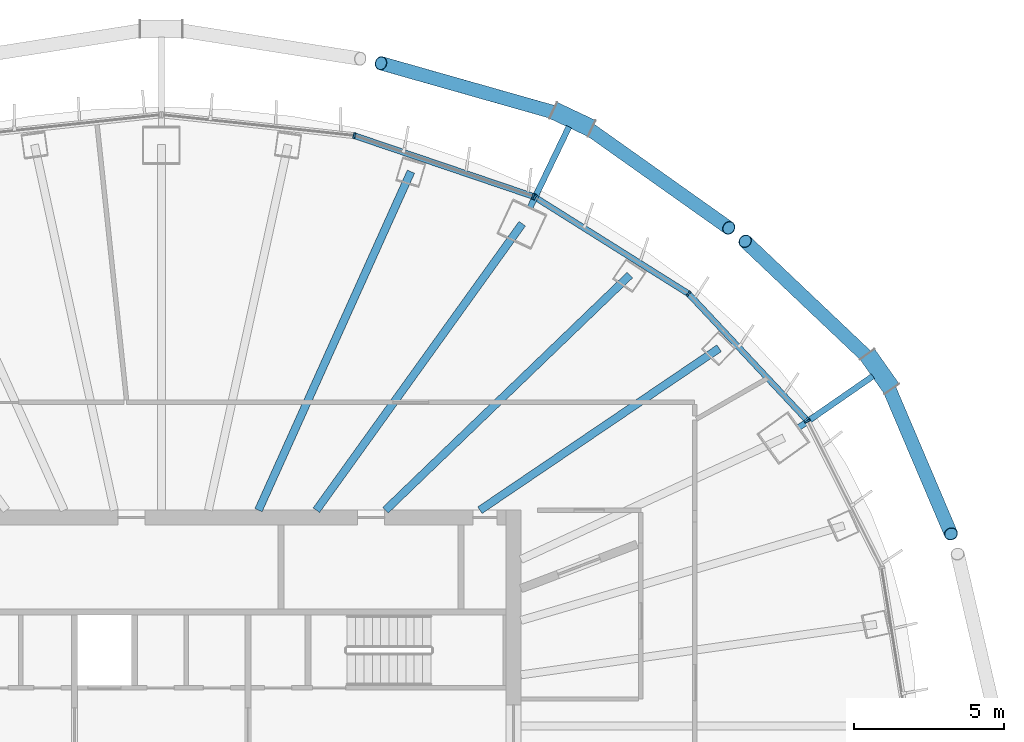
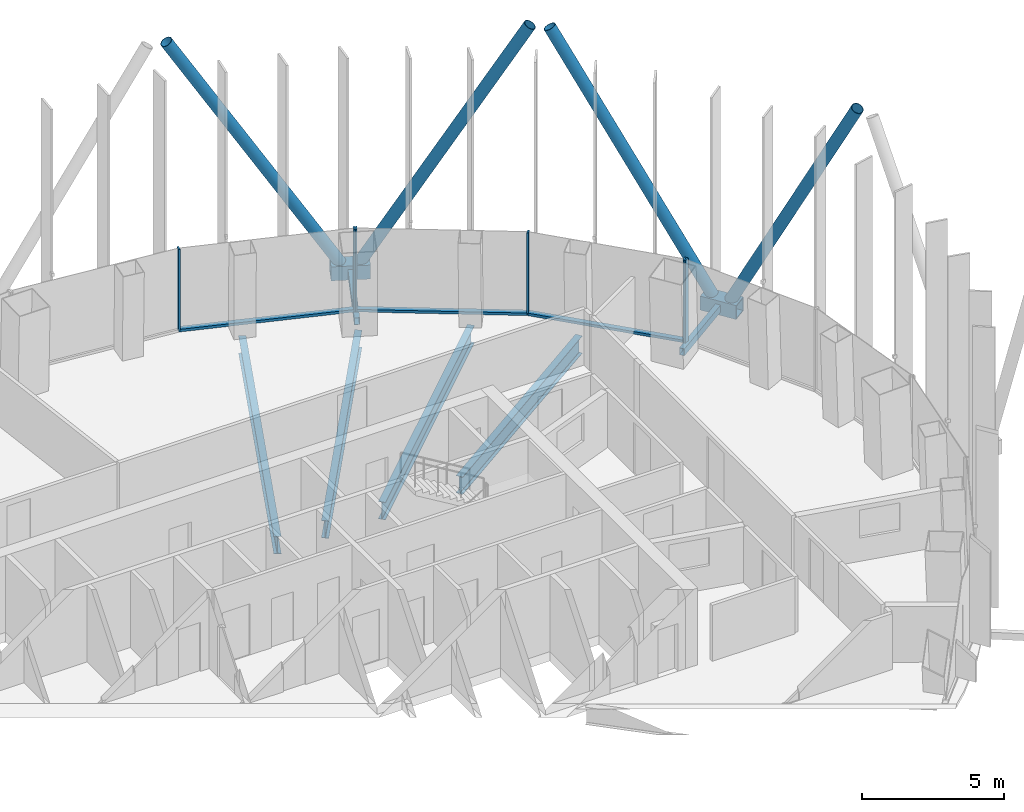
# One storey, part 6 of 19: 17 members, 4 beams, 3 elements without a shape of their own.
"""IFC4 building model written with IfcOpenShell, lengths in metres."""

from ifc_helpers import new_model, si_unit, direction, frame, origin, origin_2d, place, context, subcontext, project, spatial, rectangle, hollow_rectangle, hollow_circle, i_section, extrude, material, layer, layer_set, material_profile, profile_set, type_object, element, aggregate, save


model = new_model("IFC4")

# Units and contexts
model_context = context("Model", 3, precision=1e-05, world=origin(), true_north=direction((0.0, 1.0)))
body_context = subcontext(model_context, "Body", "Model", "MODEL_VIEW")
ifc_project = project(units=[si_unit("LENGTHUNIT", "METRE"), si_unit("AREAUNIT", "SQUARE_METRE"), si_unit("VOLUMEUNIT", "CUBIC_METRE"), si_unit("PLANEANGLEUNIT", "RADIAN"), si_unit("MASSUNIT", "GRAM", prefix="KILO")], contexts=[model_context])

# Site, building, storey
site_placement = place(None, origin())
site = spatial("IfcSite", under=ifc_project, at=site_placement, CompositionType="ELEMENT")
building_placement = place(site_placement, origin())
building = spatial("IfcBuilding", under=site, at=building_placement, Name="Siaravel Broadcast Tower", CompositionType="ELEMENT")
storey_placement = place(building_placement, frame((0.0, 0.0, 130.39990234375)))
storey = spatial("IfcBuildingStorey", under=building, at=storey_placement, Name="L31", CompositionType="ELEMENT", Elevation=130.39990234375)

# Beams
ifc_material_1 = material(Name="Steel S355", Category="steel")
ifc_material_profile_1 = material_profile(ifc_material_1, i_section(OverallWidth=0.26513671875, OverallDepth=0.75390625, WebThickness=0.0126953125, FlangeThickness=0.017578125, FilletRadius=0.0166015625, at=origin_2d()))
ifc_profile_set_1 = profile_set([ifc_material_profile_1], Name="Steel S355")
beam_type = type_object("IfcBeamType", Name="BM-UB 762x267x147", PredefinedType="BEAM", material=ifc_profile_set_1)
beam_1_placement = place(storey_placement, frame((18.614501953125, 12.605712890625, -0.52685546875), z_axis=(-0.827999857, -0.56072831, 0.0), x_axis=(0.56072831, -0.827999857, 0.0)))
element("IfcBeam", 1, at=beam_1_placement, inside=storey, type_object=beam_type, Name="Radial beam RB05", PredefinedType="BEAM", context=body_context, shape_type="SweptSolid", body=[
    extrude(i_section(OverallWidth=0.26513671875, OverallDepth=0.75390625, WebThickness=0.0126953125, FlangeThickness=0.017578125, FilletRadius=0.0166015625, at=origin_2d()), origin(), (0.0, 0.0, 1.0), 9.640625),
])
beam_2_placement = place(storey_placement, frame((15.63525390625, 15.0458984375, -0.52685546875), z_axis=(-0.720548164, -0.693404891, 0.0), x_axis=(0.693404891, -0.720548164, 0.0)))
element("IfcBeam", 2, at=beam_2_placement, inside=storey, type_object=beam_type, Name="Radial beam RB06", PredefinedType="BEAM", context=body_context, shape_type="SweptSolid", body=[
    extrude(i_section(OverallWidth=0.26513671875, OverallDepth=0.75390625, WebThickness=0.0126953125, FlangeThickness=0.017578125, FilletRadius=0.0166015625, at=origin_2d()), origin(), (0.0, 0.0, 1.0), 11.315185546875),
])
beam_3_placement = place(storey_placement, frame((12.044189453125, 16.760498046875, -0.52685546875), z_axis=(-0.583550585, -0.812076791, 0.0), x_axis=(0.812076791, -0.583550585, 0.0)))
element("IfcBeam", 3, at=beam_3_placement, inside=storey, type_object=beam_type, Name="Radial beam RB07", PredefinedType="BEAM", context=body_context, shape_type="SweptSolid", body=[
    extrude(i_section(OverallWidth=0.26513671875, OverallDepth=0.75390625, WebThickness=0.0126953125, FlangeThickness=0.017578125, FilletRadius=0.0166015625, at=origin_2d()), origin(), (0.0, 0.0, 1.0), 11.77294921875),
])
beam_4_placement = place(storey_placement, frame((8.331787109375, 18.49853515625, -0.52685546875), z_axis=(-0.410666942, -0.911785426, 0.0), x_axis=(0.911785426, -0.410666942, 0.0)))
element("IfcBeam", 4, at=beam_4_placement, inside=storey, type_object=beam_type, Name="Radial beam RB08", PredefinedType="BEAM", context=body_context, shape_type="SweptSolid", body=[
    extrude(i_section(OverallWidth=0.26513671875, OverallDepth=0.75390625, WebThickness=0.0126953125, FlangeThickness=0.017578125, FilletRadius=0.0166015625, at=origin_2d()), origin(), (0.0, 0.0, 1.0), 12.3916015625),
])

# Curtain wall, member
ifc_material_2 = material(Name="Aluminium 6063-T6", Category="aluminium")
ifc_layer = layer(ifc_material_2, 0.199951171875)
ifc_layer_set = layer_set([ifc_layer], Name="Aluminium 6063-T6")
curtain_wall_type = type_object("IfcCurtainWallType", Name="Unitised curtain wall, zone 2", PredefinedType="NOTDEFINED", material=ifc_layer_set)
curtain_wall_1_placement = place(storey_placement, origin())
curtain_wall_1 = element("IfcCurtainWall", 5, at=curtain_wall_1_placement, inside=storey, type_object=curtain_wall_type, Name="L31 Unitised curtain wall, zone 2 01", PredefinedType="NOTDEFINED")
ifc_material_profile_2 = material_profile(ifc_material_2, rectangle(XDim=0.199951171875, YDim=0.06494140625, at=origin_2d()))
ifc_profile_set_2 = profile_set([ifc_material_profile_2], Name="Aluminium 6063-T6")
member_type_1 = type_object("IfcMemberType", Name="CW-Z2 mullion", PredefinedType="MULLION", material=ifc_profile_set_2)
member_1_placement = place(storey_placement, frame((21.56494140625, 10.172119140625, 0.0), z_axis=(0.0, 0.0, 1.0), x_axis=(-0.892392954, -0.451259145, 0.0)))
member_1 = element("IfcMember", 6, at=member_1_placement, type_object=member_type_1, Name="CW-Z2 mullion 3", PredefinedType="MULLION", context=body_context, shape_type="SweptSolid", body=[
    extrude(rectangle(XDim=0.199951171875, YDim=0.06494140625, at=origin_2d()), origin(), (0.0, 0.0, 1.0), 3.550048828125),
])
aggregate(curtain_wall_1, [member_1])

# Curtain wall, members
curtain_wall_2_placement = place(storey_placement, origin())
curtain_wall_2 = element("IfcCurtainWall", 7, at=curtain_wall_2_placement, inside=storey, type_object=curtain_wall_type, Name="L31 Unitised curtain wall, zone 2 02", PredefinedType="NOTDEFINED")
member_2_placement = place(storey_placement, frame((21.528076171875, 10.224609375, 0.0), z_axis=(0.0, 0.0, 1.0), x_axis=(-0.729806913, -0.683653326, 0.0)))
member_2 = element("IfcMember", 8, at=member_2_placement, type_object=member_type_1, Name="CW-Z2 mullion 1", PredefinedType="MULLION", context=body_context, shape_type="SweptSolid", body=[
    extrude(rectangle(XDim=0.199951171875, YDim=0.06494140625, at=origin_2d()), origin(), (0.0, 0.0, 1.0), 3.550048828125),
])
member_3_placement = place(storey_placement, frame((17.593994140625, 14.42431640625, 0.0), z_axis=(0.0, 0.0, 1.0), x_axis=(-0.63622045, -0.771507317, 0.0)))
member_3 = element("IfcMember", 9, at=member_3_placement, type_object=member_type_1, Name="CW-Z2 mullion 2", PredefinedType="MULLION", context=body_context, shape_type="SweptSolid", body=[
    extrude(rectangle(XDim=0.199951171875, YDim=0.06494140625, at=origin_2d()), origin(), (0.0, 0.0, 1.0), 3.550048828125),
])
member_4_placement = place(storey_placement, frame((12.46728515625, 17.646484375, 0.0), z_axis=(0.0, 0.0, 1.0), x_axis=(-0.532151141, -0.846649374, 0.0)))
member_4 = element("IfcMember", 10, at=member_4_placement, type_object=member_type_1, Name="CW-Z2 mullion 3", PredefinedType="MULLION", context=body_context, shape_type="SweptSolid", body=[
    extrude(rectangle(XDim=0.199951171875, YDim=0.06494140625, at=origin_2d()), origin(), (0.0, 0.0, 1.0), 3.550048828125),
])

curtain_wall_3_placement = place(storey_placement, origin())
curtain_wall_3 = element("IfcCurtainWall", 11, at=curtain_wall_3_placement, inside=storey, type_object=curtain_wall_type, Name="L31 Unitised curtain wall, zone 2 03", PredefinedType="NOTDEFINED")
member_5_placement = place(storey_placement, frame((12.408935546875, 17.67431640625, 0.0), z_axis=(0.0, 0.0, 1.0), x_axis=(-0.321302097, -0.946976749, 0.0)))
member_5 = element("IfcMember", 12, at=member_5_placement, type_object=member_type_1, Name="CW-Z2 mullion 1", PredefinedType="MULLION", context=body_context, shape_type="SweptSolid", body=[
    extrude(rectangle(XDim=0.199951171875, YDim=0.06494140625, at=origin_2d()), origin(), (0.0, 0.0, 1.0), 3.550048828125),
])
member_6_placement = place(storey_placement, frame((6.43896484375, 19.699951171875, 0.0), z_axis=(0.0, 0.0, 1.0), x_axis=(-0.215559096, -0.976490797, 0.0)))
member_6 = element("IfcMember", 13, at=member_6_placement, type_object=member_type_1, Name="CW-Z2 mullion 2", PredefinedType="MULLION", context=body_context, shape_type="SweptSolid", body=[
    extrude(rectangle(XDim=0.199951171875, YDim=0.06494140625, at=origin_2d()), origin(), (0.0, 0.0, 1.0), 3.550048828125),
])

# Member
ifc_material_profile_3 = material_profile(ifc_material_2, rectangle(XDim=0.199951171875, YDim=0.110107421875, at=origin_2d()))
ifc_profile_set_3 = profile_set([ifc_material_profile_3], Name="Aluminium 6063-T6")
member_type_2 = type_object("IfcMemberType", Name="CW-Z2 transom", PredefinedType="USERDEFINED", material=ifc_profile_set_3)
member_7_placement = place(storey_placement, frame((21.505859375, 10.248291015625, 0.05517578125), z_axis=(-0.683644181, 0.72981548, 0.0), x_axis=(-0.72981548, -0.683644181, 0.0)))
member_7 = element("IfcMember", 14, at=member_7_placement, type_object=member_type_2, Name="CW-Z2 transom 1", ObjectType="TRANSOM", PredefinedType="USERDEFINED", context=body_context, shape_type="SweptSolid", body=[
    extrude(rectangle(XDim=0.199951171875, YDim=0.110107421875, at=origin_2d()), origin(), (0.0, 0.0, 1.0), 5.689697265625),
])

member_8_placement = place(storey_placement, frame((17.56640625, 14.441650390625, 0.05517578125), z_axis=(-0.84664232, 0.532162364, 0.0), x_axis=(-0.532162364, -0.84664232, 0.0)))
member_8 = element("IfcMember", 15, at=member_8_placement, type_object=member_type_2, Name="CW-Z2 transom 2", ObjectType="TRANSOM", PredefinedType="USERDEFINED", context=body_context, shape_type="SweptSolid", body=[
    extrude(rectangle(XDim=0.199951171875, YDim=0.110107421875, at=origin_2d()), origin(), (0.0, 0.0, 1.0), 5.990234375),
])

aggregate(curtain_wall_2, [member_2, member_3, member_4, member_7, member_8])

member_9_placement = place(storey_placement, frame((12.37841796875, 17.684814453125, 0.05517578125), z_axis=(-0.946983377, 0.32128256, 0.0), x_axis=(-0.32128256, -0.946983377, 0.0)))
member_9 = element("IfcMember", 16, at=member_9_placement, type_object=member_type_2, Name="CW-Z2 transom 1", ObjectType="TRANSOM", PredefinedType="USERDEFINED", context=body_context, shape_type="SweptSolid", body=[
    extrude(rectangle(XDim=0.199951171875, YDim=0.110107421875, at=origin_2d()), origin(), (0.0, 0.0, 1.0), 6.239501953125),
])

aggregate(curtain_wall_3, [member_5, member_6, member_9])

# Members
ifc_material_3 = material(Name="Steel S460", Category="steel")
ifc_material_profile_4 = material_profile(ifc_material_3, hollow_circle(Radius=0.228515625, WallThickness=0.02001953125, at=origin_2d()))
ifc_profile_set_4 = profile_set([ifc_material_profile_4], Name="Steel S460")
member_type_3 = type_object("IfcMemberType", Name="Diagrid diagonal CHS 457x20", PredefinedType="BRACE", material=ifc_profile_set_4)
member_10_placement = place(storey_placement, frame((24.169677734375, 11.540283203125, 0.070068359375), z_axis=(0.182781146, -0.429773854, 0.884242889), x_axis=(0.920232801, 0.391371425, 0.0)))
element("IfcMember", 17, at=member_10_placement, inside=storey, type_object=member_type_3, Name="Diagrid diagonal R13 station 06C", PredefinedType="BRACE", context=body_context, shape_type="SweptSolid", body=[
    extrude(hollow_circle(Radius=0.228515625, WallThickness=0.02001953125, at=origin_2d()), origin(), (0.0, 0.0, 1.0), 11.9423828125),
])
member_11_placement = place(storey_placement, frame((23.764892578125, 12.114501953125, 0.070068359375), z_axis=(-0.354065042, 0.335598928, 0.872932589), x_axis=(-0.687927073, -0.725779817, 0.0)))
element("IfcMember", 18, at=member_11_placement, inside=storey, type_object=member_type_3, Name="Diagrid diagonal R13 station 06A", PredefinedType="BRACE", context=body_context, shape_type="SweptSolid", body=[
    extrude(hollow_circle(Radius=0.228515625, WallThickness=0.02001953125, at=origin_2d()), origin(), (0.0, 0.0, 1.0), 12.09716796875),
])
member_12_placement = place(storey_placement, frame((14.039794921875, 20.09130859375, 0.070068359375), z_axis=(0.40322927, -0.285795755, 0.869325567), x_axis=(0.578253125, 0.815857416, 0.0)))
element("IfcMember", 19, at=member_12_placement, inside=storey, type_object=member_type_3, Name="Diagrid diagonal R13 station 12C", PredefinedType="BRACE", context=body_context, shape_type="SweptSolid", body=[
    extrude(hollow_circle(Radius=0.228515625, WallThickness=0.02001953125, at=origin_2d()), origin(), (0.0, 0.0, 1.0), 12.1474609375),
])
member_13_placement = place(storey_placement, frame((13.404541015625, 20.391845703125, 0.070068359375), z_axis=(-0.493780436, 0.140062529, 0.858232701), x_axis=(-0.27288765, -0.962045909, 0.0)))
element("IfcMember", 20, at=member_13_placement, inside=storey, type_object=member_type_3, Name="Diagrid diagonal R13 station 12A", PredefinedType="BRACE", context=body_context, shape_type="SweptSolid", body=[
    extrude(hollow_circle(Radius=0.228515625, WallThickness=0.02001953125, at=origin_2d()), origin(), (0.0, 0.0, 1.0), 12.304443359375),
])
ifc_material_profile_5 = material_profile(ifc_material_3, hollow_rectangle(XDim=0.60009765625, YDim=0.60009765625, WallThickness=0.0400390625, at=origin_2d()))
ifc_profile_set_5 = profile_set([ifc_material_profile_5], Name="Steel S460")
member_type_4 = type_object("IfcMemberType", Name="Diagrid node BOX 600x600x40", PredefinedType="USERDEFINED", material=ifc_profile_set_5)
for number, where, z_axis, x_axis, name in (
    (21, (24.37060546875, 11.25537109375, -0.199951171875), (-0.576128367, 0.817359227, 0.0), (-0.817359227, -0.576128367, 0.0), "Diagrid node R13 station 06"),
    (22, (14.354736328125, 19.9423828125, -0.199951171875), (-0.904014668, 0.427501438, 0.0), (-0.427501438, -0.904014668, 0.0), "Diagrid node R13 station 12"),
):
    element("IfcMember", number, at=place(storey_placement, frame(where, z_axis=z_axis, x_axis=x_axis)), inside=storey, type_object=member_type_4, Name=name, ObjectType="DIAGRID NODE", PredefinedType="USERDEFINED", context=body_context, shape_type="SweptSolid", body=[
        extrude(hollow_rectangle(XDim=0.60009765625, YDim=0.60009765625, WallThickness=0.0400390625, at=origin_2d()), origin(), (0.0, 0.0, 1.0), 1.399658203125),
    ])
ifc_material_profile_6 = material_profile(ifc_material_3, hollow_rectangle(XDim=0.199951171875, YDim=0.300048828125, WallThickness=0.012451171875, at=origin_2d()))
ifc_profile_set_6 = profile_set([ifc_material_profile_6], Name="Steel S460")
member_type_5 = type_object("IfcMemberType", Name="Diagrid node arm RHS 300x200x12.5", PredefinedType="STRUT", material=ifc_profile_set_6)
member_14_placement = place(storey_placement, frame((21.265869140625, 9.955810546875, -0.199951171875), z_axis=(0.822005667, 0.56947931, 0.0), x_axis=(-0.56947931, 0.822005667, 0.0)))
element("IfcMember", 23, at=member_14_placement, inside=storey, type_object=member_type_5, Name="Node arm R13 station 06", PredefinedType="STRUT", context=body_context, shape_type="SweptSolid", body=[
    extrude(hollow_rectangle(XDim=0.199951171875, YDim=0.300048828125, WallThickness=0.012451171875, at=origin_2d()), origin(), (0.0, 0.0, 1.0), 3.016357421875),
])
member_15_placement = place(storey_placement, frame((12.302490234375, 17.29638671875, -0.199951171875), z_axis=(0.434241398, 0.900796541, 0.0), x_axis=(-0.900796541, 0.434241398, 0.0)))
element("IfcMember", 24, at=member_15_placement, inside=storey, type_object=member_type_5, Name="Node arm R13 station 12", PredefinedType="STRUT", context=body_context, shape_type="SweptSolid", body=[
    extrude(hollow_rectangle(XDim=0.199951171875, YDim=0.300048828125, WallThickness=0.012451171875, at=origin_2d()), origin(), (0.0, 0.0, 1.0), 2.99951171875),
])

save(model, "model.ifc")
